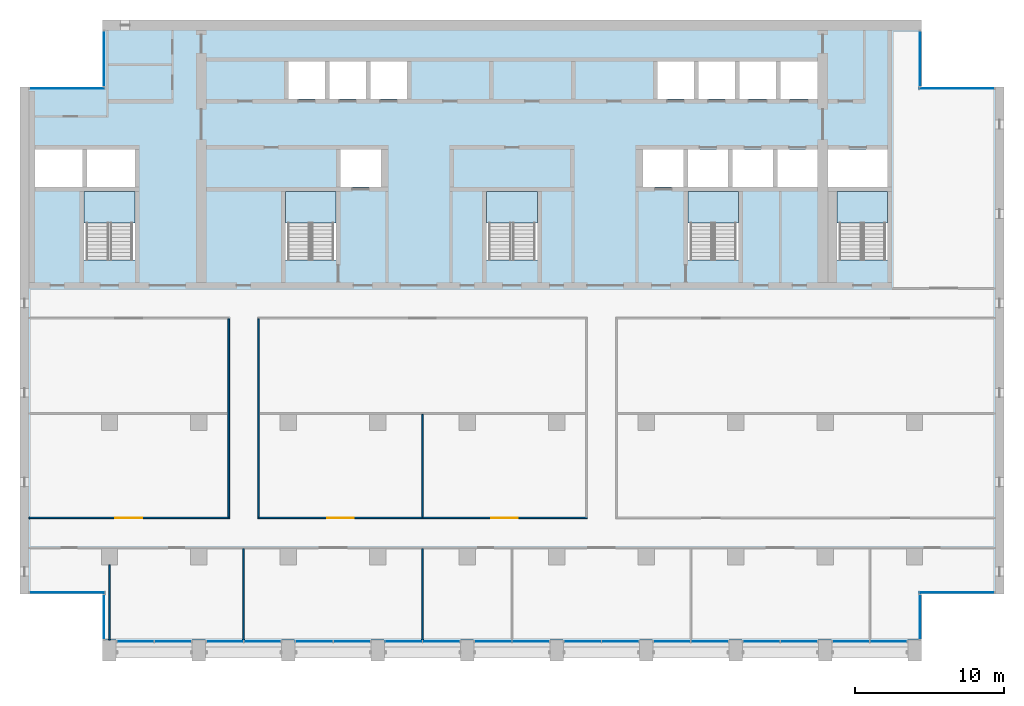
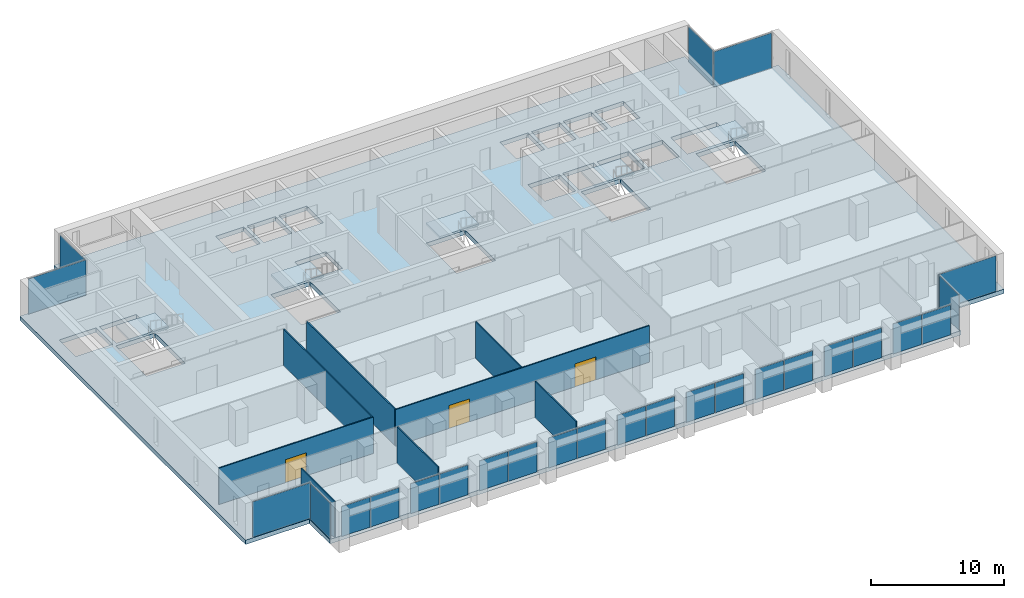
# One storey, part 7 of 17: 26 plates, 8 walls, 6 slabs, 3 doors, 3 openings, 22 elements without a shape of their own.
"""IFC4 building model written with IfcOpenShell, lengths in metres."""

from ifc_helpers import new_model, si_unit, direction, frame, frame_2d, origin, origin_2d, place, context, subcontext, project, spatial, polyline, rectangle, outline, extrude, material, layer, layer_set, type_object, element, fill, aggregate, save


model = new_model("IFC4")

# Units and contexts
model_context = context("Model", 3, precision=1e-05, world=origin(), true_north=direction((0.0, 1.0)))
body_context = subcontext(model_context, "Body", "Model", "MODEL_VIEW")
ifc_project = project(units=[si_unit("LENGTHUNIT", "METRE"), si_unit("AREAUNIT", "SQUARE_METRE"), si_unit("VOLUMEUNIT", "CUBIC_METRE"), si_unit("PLANEANGLEUNIT", "RADIAN"), si_unit("MASSUNIT", "GRAM", prefix="KILO")], contexts=[model_context])

# Site, building, storey
site_placement = place(None, origin())
site = spatial("IfcSite", under=ifc_project, at=site_placement, CompositionType="ELEMENT")
building_placement = place(site_placement, origin())
building = spatial("IfcBuilding", under=site, at=building_placement, Name="Calvaro Tower", CompositionType="ELEMENT")
storey_placement = place(building_placement, frame((0.0, 0.0, 196.75)))
storey = spatial("IfcBuildingStorey", under=building, at=storey_placement, Name="L49", CompositionType="ELEMENT", Elevation=196.75)

# Slab
ifc_material_1 = material(Name="Concrete C40/50", Category="concrete")
ifc_layer_1 = layer(ifc_material_1, 0.39990234375)
ifc_layer_set_1 = layer_set([ifc_layer_1], Name="Concrete C40/50")
slab_type_1 = type_object("IfcSlabType", Name="Floor slab 400 C40/50", PredefinedType="FLOOR", material=ifc_layer_set_1)
slab_1_placement = place(storey_placement, frame((0.0, 0.0, -0.39990234375)))
element("IfcSlab", 1, at=slab_1_placement, inside=storey, type_object=slab_type_1, Name="Floor slab", PredefinedType="FLOOR", context=body_context, shape_type="SweptSolid", body=[
    extrude(outline(polyline([(66.449951171875, 7.5), (66.449951171875, 4.39990234375), (11.550048828125, 4.39990234375), (11.550048828125, 7.5), (6.0, 7.5), (6.0, 41.5), (11.550048828125, 41.5), (11.550048828125, 46.0), (66.449951171875, 46.0), (66.449951171875, 41.5), (72.0, 41.5), (72.0, 7.5), (66.449951171875, 7.5)]), holes=[polyline([(10.300048828125, 29.909912109375), (10.300048828125, 34.5), (12.0, 34.5), (13.699951171875, 34.5), (13.699951171875, 29.909912109375), (12.0, 29.909912109375), (10.300048828125, 29.909912109375)]), polyline([(23.800048828125, 29.909912109375), (23.800048828125, 34.5), (25.5, 34.5), (27.199951171875, 34.5), (27.199951171875, 29.909912109375), (25.5, 29.909912109375), (23.800048828125, 29.909912109375)]), polyline([(37.300048828125, 29.909912109375), (37.300048828125, 34.5), (39.0, 34.5), (40.699951171875, 34.5), (40.699951171875, 29.909912109375), (39.0, 29.909912109375), (37.300048828125, 29.909912109375)]), polyline([(50.800048828125, 29.909912109375), (50.800048828125, 34.5), (52.5, 34.5), (54.199951171875, 34.5), (54.199951171875, 29.909912109375), (52.5, 29.909912109375), (50.800048828125, 29.909912109375)]), polyline([(60.800048828125, 29.909912109375), (60.800048828125, 34.5), (62.5, 34.5), (64.199951171875, 34.5), (64.199951171875, 29.909912109375), (62.5, 29.909912109375), (60.800048828125, 29.909912109375)]), polyline([(50.800048828125, 34.800048828125), (53.5, 34.800048828125), (53.5, 37.300048828125), (50.800048828125, 37.300048828125), (50.800048828125, 34.800048828125)]), polyline([(53.800048828125, 34.800048828125), (56.5, 34.800048828125), (56.5, 37.300048828125), (53.800048828125, 37.300048828125), (53.800048828125, 34.800048828125)]), polyline([(56.800048828125, 34.800048828125), (59.5, 34.800048828125), (59.5, 37.300048828125), (56.800048828125, 37.300048828125), (56.800048828125, 34.800048828125)]), polyline([(24.0, 40.699951171875), (26.449951171875, 40.699951171875), (26.449951171875, 43.199951171875), (24.0, 43.199951171875), (24.0, 40.699951171875)]), polyline([(26.75, 40.699951171875), (29.199951171875, 40.699951171875), (29.199951171875, 43.199951171875), (26.75, 43.199951171875), (26.75, 40.699951171875)]), polyline([(29.5, 40.699951171875), (31.949951171875, 40.699951171875), (31.949951171875, 43.199951171875), (29.5, 43.199951171875), (29.5, 40.699951171875)]), polyline([(48.75, 40.699951171875), (51.199951171875, 40.699951171875), (51.199951171875, 43.199951171875), (48.75, 43.199951171875), (48.75, 40.699951171875)]), polyline([(51.5, 40.699951171875), (53.949951171875, 40.699951171875), (53.949951171875, 43.199951171875), (51.5, 43.199951171875), (51.5, 40.699951171875)]), polyline([(54.25, 40.699951171875), (56.699951171875, 40.699951171875), (56.699951171875, 43.199951171875), (54.25, 43.199951171875), (54.25, 40.699951171875)]), polyline([(57.0, 40.699951171875), (59.5, 40.699951171875), (59.5, 43.199951171875), (57.0, 43.199951171875), (57.0, 40.699951171875)]), polyline([(7.0, 34.800048828125), (10.199951171875, 34.800048828125), (10.199951171875, 37.300048828125), (7.0, 37.300048828125), (7.0, 34.800048828125)]), polyline([(10.5, 34.800048828125), (13.699951171875, 34.800048828125), (13.699951171875, 37.300048828125), (10.5, 37.300048828125), (10.5, 34.800048828125)]), polyline([(60.199951171875, 34.800048828125), (64.199951171875, 34.800048828125), (64.199951171875, 37.300048828125), (60.199951171875, 37.300048828125), (60.199951171875, 34.800048828125)]), polyline([(27.5, 34.800048828125), (30.199951171875, 34.800048828125), (30.199951171875, 37.300048828125), (27.5, 37.300048828125), (27.5, 34.800048828125)]), polyline([(47.800048828125, 34.800048828125), (50.5, 34.800048828125), (50.5, 37.300048828125), (47.800048828125, 37.300048828125), (47.800048828125, 34.800048828125)])]), origin(), (0.0, 0.0, 1.0), 0.39990234375),
])

# Curtain wall, plates
ifc_material_2 = material(Name="Anodised aluminium", Category="aluminium")
curtain_wall_type = type_object("IfcCurtainWallType", Name="Office curtain wall, upper zone", PredefinedType="NOTDEFINED", material=ifc_material_2)
curtain_wall_1_placement = place(storey_placement, origin())
curtain_wall_1 = element("IfcCurtainWall", 2, at=curtain_wall_1_placement, inside=storey, type_object=curtain_wall_type, Name="CW3 south curtain wall", PredefinedType="NOTDEFINED")
ifc_material_3 = material(Name="Glass", Category="glass")
ifc_layer_2 = layer(ifc_material_3, 0.035888671875)
ifc_layer_set_2 = layer_set([ifc_layer_2], Name="Glass")
plate_type = type_object("IfcPlateType", Name="Glass panel S3 36", PredefinedType="CURTAIN_PANEL", material=ifc_layer_set_2)
plate_1_placement = place(storey_placement, frame((13.739990234375, 4.31005859375, 0.0), z_axis=(0.0, 0.0, 1.0), x_axis=(1.0, 0.0, 0.0)))
plate_1 = element("IfcPlate", 3, at=plate_1_placement, type_object=plate_type, Name="CW3 glass panel 1.1", PredefinedType="CURTAIN_PANEL", context=body_context, shape_type="SweptSolid", body=[
    extrude(rectangle(XDim=2.4599609375, YDim=0.035888671875, at=origin_2d()), origin(), (0.0, 0.0, 1.0), 2.75),
])
plate_2_placement = place(storey_placement, frame((16.260009765625, 4.31005859375, 0.0), z_axis=(0.0, 0.0, 1.0), x_axis=(1.0, 0.0, 0.0)))
plate_2 = element("IfcPlate", 4, at=plate_2_placement, type_object=plate_type, Name="CW3 glass panel 2.1", PredefinedType="CURTAIN_PANEL", context=body_context, shape_type="SweptSolid", body=[
    extrude(rectangle(XDim=2.4599609375, YDim=0.035888671875, at=origin_2d()), origin(), (0.0, 0.0, 1.0), 2.75),
])
aggregate(curtain_wall_1, [plate_1, plate_2])

curtain_wall_2_placement = place(storey_placement, origin())
curtain_wall_2 = element("IfcCurtainWall", 5, at=curtain_wall_2_placement, inside=storey, type_object=curtain_wall_type, Name="CW3 south curtain wall", PredefinedType="NOTDEFINED")
plate_3_placement = place(storey_placement, frame((19.739990234375, 4.31005859375, 0.0), z_axis=(0.0, 0.0, 1.0), x_axis=(1.0, 0.0, 0.0)))
plate_3 = element("IfcPlate", 6, at=plate_3_placement, type_object=plate_type, Name="CW3 glass panel 1.1", PredefinedType="CURTAIN_PANEL", context=body_context, shape_type="SweptSolid", body=[
    extrude(rectangle(XDim=2.4599609375, YDim=0.035888671875, at=origin_2d()), origin(), (0.0, 0.0, 1.0), 2.75),
])
plate_4_placement = place(storey_placement, frame((22.260009765625, 4.31005859375, 0.0), z_axis=(0.0, 0.0, 1.0), x_axis=(1.0, 0.0, 0.0)))
plate_4 = element("IfcPlate", 7, at=plate_4_placement, type_object=plate_type, Name="CW3 glass panel 2.1", PredefinedType="CURTAIN_PANEL", context=body_context, shape_type="SweptSolid", body=[
    extrude(rectangle(XDim=2.4599609375, YDim=0.035888671875, at=origin_2d()), origin(), (0.0, 0.0, 1.0), 2.75),
])
aggregate(curtain_wall_2, [plate_3, plate_4])

curtain_wall_3_placement = place(storey_placement, origin())
curtain_wall_3 = element("IfcCurtainWall", 8, at=curtain_wall_3_placement, inside=storey, type_object=curtain_wall_type, Name="CW3 south curtain wall", PredefinedType="NOTDEFINED")
plate_5_placement = place(storey_placement, frame((25.739990234375, 4.31005859375, 0.0), z_axis=(0.0, 0.0, 1.0), x_axis=(1.0, 0.0, 0.0)))
plate_5 = element("IfcPlate", 9, at=plate_5_placement, type_object=plate_type, Name="CW3 glass panel 1.1", PredefinedType="CURTAIN_PANEL", context=body_context, shape_type="SweptSolid", body=[
    extrude(rectangle(XDim=2.4599609375, YDim=0.035888671875, at=origin_2d()), origin(), (0.0, 0.0, 1.0), 2.75),
])
plate_6_placement = place(storey_placement, frame((28.260009765625, 4.31005859375, 0.0), z_axis=(0.0, 0.0, 1.0), x_axis=(1.0, 0.0, 0.0)))
plate_6 = element("IfcPlate", 10, at=plate_6_placement, type_object=plate_type, Name="CW3 glass panel 2.1", PredefinedType="CURTAIN_PANEL", context=body_context, shape_type="SweptSolid", body=[
    extrude(rectangle(XDim=2.4599609375, YDim=0.035888671875, at=origin_2d()), origin(), (0.0, 0.0, 1.0), 2.75),
])
aggregate(curtain_wall_3, [plate_5, plate_6])

curtain_wall_4_placement = place(storey_placement, origin())
curtain_wall_4 = element("IfcCurtainWall", 11, at=curtain_wall_4_placement, inside=storey, type_object=curtain_wall_type, Name="CW3 south curtain wall", PredefinedType="NOTDEFINED")
plate_7_placement = place(storey_placement, frame((31.739990234375, 4.31005859375, 0.0), z_axis=(0.0, 0.0, 1.0), x_axis=(1.0, 0.0, 0.0)))
plate_7 = element("IfcPlate", 12, at=plate_7_placement, type_object=plate_type, Name="CW3 glass panel 1.1", PredefinedType="CURTAIN_PANEL", context=body_context, shape_type="SweptSolid", body=[
    extrude(rectangle(XDim=2.4599609375, YDim=0.035888671875, at=origin_2d()), origin(), (0.0, 0.0, 1.0), 2.75),
])
plate_8_placement = place(storey_placement, frame((34.260009765625, 4.31005859375, 0.0), z_axis=(0.0, 0.0, 1.0), x_axis=(1.0, 0.0, 0.0)))
plate_8 = element("IfcPlate", 13, at=plate_8_placement, type_object=plate_type, Name="CW3 glass panel 2.1", PredefinedType="CURTAIN_PANEL", context=body_context, shape_type="SweptSolid", body=[
    extrude(rectangle(XDim=2.4599609375, YDim=0.035888671875, at=origin_2d()), origin(), (0.0, 0.0, 1.0), 2.75),
])
aggregate(curtain_wall_4, [plate_7, plate_8])

curtain_wall_5_placement = place(storey_placement, origin())
curtain_wall_5 = element("IfcCurtainWall", 14, at=curtain_wall_5_placement, inside=storey, type_object=curtain_wall_type, Name="CW3 south curtain wall", PredefinedType="NOTDEFINED")
plate_9_placement = place(storey_placement, frame((37.739990234375, 4.31005859375, 0.0), z_axis=(0.0, 0.0, 1.0), x_axis=(1.0, 0.0, 0.0)))
plate_9 = element("IfcPlate", 15, at=plate_9_placement, type_object=plate_type, Name="CW3 glass panel 1.1", PredefinedType="CURTAIN_PANEL", context=body_context, shape_type="SweptSolid", body=[
    extrude(rectangle(XDim=2.4599609375, YDim=0.035888671875, at=origin_2d()), origin(), (0.0, 0.0, 1.0), 2.75),
])
plate_10_placement = place(storey_placement, frame((40.260009765625, 4.31005859375, 0.0), z_axis=(0.0, 0.0, 1.0), x_axis=(1.0, 0.0, 0.0)))
plate_10 = element("IfcPlate", 16, at=plate_10_placement, type_object=plate_type, Name="CW3 glass panel 2.1", PredefinedType="CURTAIN_PANEL", context=body_context, shape_type="SweptSolid", body=[
    extrude(rectangle(XDim=2.4599609375, YDim=0.035888671875, at=origin_2d()), origin(), (0.0, 0.0, 1.0), 2.75),
])
aggregate(curtain_wall_5, [plate_9, plate_10])

curtain_wall_6_placement = place(storey_placement, origin())
curtain_wall_6 = element("IfcCurtainWall", 17, at=curtain_wall_6_placement, inside=storey, type_object=curtain_wall_type, Name="CW3 south curtain wall", PredefinedType="NOTDEFINED")
plate_11_placement = place(storey_placement, frame((43.739990234375, 4.31005859375, 0.0), z_axis=(0.0, 0.0, 1.0), x_axis=(1.0, 0.0, 0.0)))
plate_11 = element("IfcPlate", 18, at=plate_11_placement, type_object=plate_type, Name="CW3 glass panel 1.1", PredefinedType="CURTAIN_PANEL", context=body_context, shape_type="SweptSolid", body=[
    extrude(rectangle(XDim=2.4599609375, YDim=0.035888671875, at=origin_2d()), origin(), (0.0, 0.0, 1.0), 2.75),
])
plate_12_placement = place(storey_placement, frame((46.260009765625, 4.31005859375, 0.0), z_axis=(0.0, 0.0, 1.0), x_axis=(1.0, 0.0, 0.0)))
plate_12 = element("IfcPlate", 19, at=plate_12_placement, type_object=plate_type, Name="CW3 glass panel 2.1", PredefinedType="CURTAIN_PANEL", context=body_context, shape_type="SweptSolid", body=[
    extrude(rectangle(XDim=2.4599609375, YDim=0.035888671875, at=origin_2d()), origin(), (0.0, 0.0, 1.0), 2.75),
])
aggregate(curtain_wall_6, [plate_11, plate_12])

curtain_wall_7_placement = place(storey_placement, origin())
curtain_wall_7 = element("IfcCurtainWall", 20, at=curtain_wall_7_placement, inside=storey, type_object=curtain_wall_type, Name="CW3 south curtain wall", PredefinedType="NOTDEFINED")
plate_13_placement = place(storey_placement, frame((49.739990234375, 4.31005859375, 0.0), z_axis=(0.0, 0.0, 1.0), x_axis=(1.0, 0.0, 0.0)))
plate_13 = element("IfcPlate", 21, at=plate_13_placement, type_object=plate_type, Name="CW3 glass panel 1.1", PredefinedType="CURTAIN_PANEL", context=body_context, shape_type="SweptSolid", body=[
    extrude(rectangle(XDim=2.4599609375, YDim=0.035888671875, at=origin_2d()), origin(), (0.0, 0.0, 1.0), 2.75),
])
plate_14_placement = place(storey_placement, frame((52.260009765625, 4.31005859375, 0.0), z_axis=(0.0, 0.0, 1.0), x_axis=(1.0, 0.0, 0.0)))
plate_14 = element("IfcPlate", 22, at=plate_14_placement, type_object=plate_type, Name="CW3 glass panel 2.1", PredefinedType="CURTAIN_PANEL", context=body_context, shape_type="SweptSolid", body=[
    extrude(rectangle(XDim=2.4599609375, YDim=0.035888671875, at=origin_2d()), origin(), (0.0, 0.0, 1.0), 2.75),
])
aggregate(curtain_wall_7, [plate_13, plate_14])

curtain_wall_8_placement = place(storey_placement, origin())
curtain_wall_8 = element("IfcCurtainWall", 23, at=curtain_wall_8_placement, inside=storey, type_object=curtain_wall_type, Name="CW3 south curtain wall", PredefinedType="NOTDEFINED")
plate_15_placement = place(storey_placement, frame((55.739990234375, 4.31005859375, 0.0), z_axis=(0.0, 0.0, 1.0), x_axis=(1.0, 0.0, 0.0)))
plate_15 = element("IfcPlate", 24, at=plate_15_placement, type_object=plate_type, Name="CW3 glass panel 1.1", PredefinedType="CURTAIN_PANEL", context=body_context, shape_type="SweptSolid", body=[
    extrude(rectangle(XDim=2.4599609375, YDim=0.035888671875, at=origin_2d()), origin(), (0.0, 0.0, 1.0), 2.75),
])
plate_16_placement = place(storey_placement, frame((58.260009765625, 4.31005859375, 0.0), z_axis=(0.0, 0.0, 1.0), x_axis=(1.0, 0.0, 0.0)))
plate_16 = element("IfcPlate", 25, at=plate_16_placement, type_object=plate_type, Name="CW3 glass panel 2.1", PredefinedType="CURTAIN_PANEL", context=body_context, shape_type="SweptSolid", body=[
    extrude(rectangle(XDim=2.4599609375, YDim=0.035888671875, at=origin_2d()), origin(), (0.0, 0.0, 1.0), 2.75),
])
aggregate(curtain_wall_8, [plate_15, plate_16])

curtain_wall_9_placement = place(storey_placement, origin())
curtain_wall_9 = element("IfcCurtainWall", 26, at=curtain_wall_9_placement, inside=storey, type_object=curtain_wall_type, Name="CW3 south curtain wall", PredefinedType="NOTDEFINED")
plate_17_placement = place(storey_placement, frame((61.739990234375, 4.31005859375, 0.0), z_axis=(0.0, 0.0, 1.0), x_axis=(1.0, 0.0, 0.0)))
plate_17 = element("IfcPlate", 27, at=plate_17_placement, type_object=plate_type, Name="CW3 glass panel 1.1", PredefinedType="CURTAIN_PANEL", context=body_context, shape_type="SweptSolid", body=[
    extrude(rectangle(XDim=2.4599609375, YDim=0.035888671875, at=origin_2d()), origin(), (0.0, 0.0, 1.0), 2.75),
])
plate_18_placement = place(storey_placement, frame((64.260009765625, 4.31005859375, 0.0), z_axis=(0.0, 0.0, 1.0), x_axis=(1.0, 0.0, 0.0)))
plate_18 = element("IfcPlate", 28, at=plate_18_placement, type_object=plate_type, Name="CW3 glass panel 2.1", PredefinedType="CURTAIN_PANEL", context=body_context, shape_type="SweptSolid", body=[
    extrude(rectangle(XDim=2.4599609375, YDim=0.035888671875, at=origin_2d()), origin(), (0.0, 0.0, 1.0), 2.75),
])
aggregate(curtain_wall_9, [plate_17, plate_18])

# Curtain wall, plate
curtain_wall_10_placement = place(storey_placement, origin())
curtain_wall_10 = element("IfcCurtainWall", 29, at=curtain_wall_10_placement, inside=storey, type_object=curtain_wall_type, Name="CW3 corner curtain wall", PredefinedType="NOTDEFINED")
plate_19_placement = place(storey_placement, frame((11.639892578125, 5.949951171875, 0.0), z_axis=(0.0, 0.0, 1.0), x_axis=(0.0, 1.0, 0.0)))
plate_19 = element("IfcPlate", 30, at=plate_19_placement, type_object=plate_type, Name="CW3 glass panel 1.1", PredefinedType="CURTAIN_PANEL", context=body_context, shape_type="SweptSolid", body=[
    extrude(rectangle(XDim=2.97998046875, YDim=0.035888671875, at=origin_2d()), origin(), (0.0, 0.0, 1.0), 3.25),
])
aggregate(curtain_wall_10, [plate_19])

curtain_wall_11_placement = place(storey_placement, origin())
curtain_wall_11 = element("IfcCurtainWall", 31, at=curtain_wall_11_placement, inside=storey, type_object=curtain_wall_type, Name="CW3 corner curtain wall", PredefinedType="NOTDEFINED")
plate_20_placement = place(storey_placement, frame((9.1650390625, 7.590087890625, 0.0), z_axis=(0.0, 0.0, 1.0), x_axis=(1.0, 0.0, 0.0)))
plate_20 = element("IfcPlate", 32, at=plate_20_placement, type_object=plate_type, Name="CW3 glass panel 1.1", PredefinedType="CURTAIN_PANEL", context=body_context, shape_type="SweptSolid", body=[
    extrude(rectangle(XDim=5.010009765625, YDim=0.035888671875, at=origin_2d()), origin(), (0.0, 0.0, 1.0), 3.25),
])
aggregate(curtain_wall_11, [plate_20])

curtain_wall_12_placement = place(storey_placement, origin())
curtain_wall_12 = element("IfcCurtainWall", 33, at=curtain_wall_12_placement, inside=storey, type_object=curtain_wall_type, Name="CW3 corner curtain wall", PredefinedType="NOTDEFINED")
plate_21_placement = place(storey_placement, frame((11.639892578125, 43.39990234375, 0.0), z_axis=(0.0, 0.0, 1.0), x_axis=(0.0, 1.0, 0.0)))
plate_21 = element("IfcPlate", 34, at=plate_21_placement, type_object=plate_type, Name="CW3 glass panel 1.1", PredefinedType="CURTAIN_PANEL", context=body_context, shape_type="SweptSolid", body=[
    extrude(rectangle(XDim=3.679931640625, YDim=0.035888671875, at=origin_2d()), origin(), (0.0, 0.0, 1.0), 3.25),
])
aggregate(curtain_wall_12, [plate_21])

curtain_wall_13_placement = place(storey_placement, origin())
curtain_wall_13 = element("IfcCurtainWall", 35, at=curtain_wall_13_placement, inside=storey, type_object=curtain_wall_type, Name="CW3 corner curtain wall", PredefinedType="NOTDEFINED")
plate_22_placement = place(storey_placement, frame((9.1650390625, 41.409912109375, 0.0), z_axis=(0.0, 0.0, 1.0), x_axis=(1.0, 0.0, 0.0)))
plate_22 = element("IfcPlate", 36, at=plate_22_placement, type_object=plate_type, Name="CW3 glass panel 1.1", PredefinedType="CURTAIN_PANEL", context=body_context, shape_type="SweptSolid", body=[
    extrude(rectangle(XDim=5.010009765625, YDim=0.035888671875, at=origin_2d()), origin(), (0.0, 0.0, 1.0), 3.25),
])
aggregate(curtain_wall_13, [plate_22])

curtain_wall_14_placement = place(storey_placement, origin())
curtain_wall_14 = element("IfcCurtainWall", 37, at=curtain_wall_14_placement, inside=storey, type_object=curtain_wall_type, Name="CW3 corner curtain wall", PredefinedType="NOTDEFINED")
plate_23_placement = place(storey_placement, frame((66.360107421875, 5.949951171875, 0.0), z_axis=(0.0, 0.0, 1.0), x_axis=(0.0, 1.0, 0.0)))
plate_23 = element("IfcPlate", 38, at=plate_23_placement, type_object=plate_type, Name="CW3 glass panel 1.1", PredefinedType="CURTAIN_PANEL", context=body_context, shape_type="SweptSolid", body=[
    extrude(rectangle(XDim=2.97998046875, YDim=0.035888671875, at=origin_2d()), origin(), (0.0, 0.0, 1.0), 3.25),
])
aggregate(curtain_wall_14, [plate_23])

curtain_wall_15_placement = place(storey_placement, origin())
curtain_wall_15 = element("IfcCurtainWall", 39, at=curtain_wall_15_placement, inside=storey, type_object=curtain_wall_type, Name="CW3 corner curtain wall", PredefinedType="NOTDEFINED")
plate_24_placement = place(storey_placement, frame((68.8349609375, 7.590087890625, 0.0), z_axis=(0.0, 0.0, 1.0), x_axis=(1.0, 0.0, 0.0)))
plate_24 = element("IfcPlate", 40, at=plate_24_placement, type_object=plate_type, Name="CW3 glass panel 1.1", PredefinedType="CURTAIN_PANEL", context=body_context, shape_type="SweptSolid", body=[
    extrude(rectangle(XDim=5.010009765625, YDim=0.035888671875, at=origin_2d()), origin(), (0.0, 0.0, 1.0), 3.25),
])
aggregate(curtain_wall_15, [plate_24])

curtain_wall_16_placement = place(storey_placement, origin())
curtain_wall_16 = element("IfcCurtainWall", 41, at=curtain_wall_16_placement, inside=storey, type_object=curtain_wall_type, Name="CW3 corner curtain wall", PredefinedType="NOTDEFINED")
plate_25_placement = place(storey_placement, frame((66.360107421875, 43.39990234375, 0.0), z_axis=(0.0, 0.0, 1.0), x_axis=(0.0, 1.0, 0.0)))
plate_25 = element("IfcPlate", 42, at=plate_25_placement, type_object=plate_type, Name="CW3 glass panel 1.1", PredefinedType="CURTAIN_PANEL", context=body_context, shape_type="SweptSolid", body=[
    extrude(rectangle(XDim=3.679931640625, YDim=0.035888671875, at=origin_2d()), origin(), (0.0, 0.0, 1.0), 3.25),
])
aggregate(curtain_wall_16, [plate_25])

curtain_wall_17_placement = place(storey_placement, origin())
curtain_wall_17 = element("IfcCurtainWall", 43, at=curtain_wall_17_placement, inside=storey, type_object=curtain_wall_type, Name="CW3 corner curtain wall", PredefinedType="NOTDEFINED")
plate_26_placement = place(storey_placement, frame((68.8349609375, 41.409912109375, 0.0), z_axis=(0.0, 0.0, 1.0), x_axis=(1.0, 0.0, 0.0)))
plate_26 = element("IfcPlate", 44, at=plate_26_placement, type_object=plate_type, Name="CW3 glass panel 1.1", PredefinedType="CURTAIN_PANEL", context=body_context, shape_type="SweptSolid", body=[
    extrude(rectangle(XDim=5.010009765625, YDim=0.035888671875, at=origin_2d()), origin(), (0.0, 0.0, 1.0), 3.25),
])
aggregate(curtain_wall_17, [plate_26])

# Stair, slab
ifc_material_4 = material(Name="Concrete C40/50", Category="concrete")
stair_type = type_object("IfcStairType", Name="Exit stair 1400 2 flights", PredefinedType="HALF_TURN_STAIR", material=ifc_material_4)
stair_1_placement = place(storey_placement, origin())
stair_1 = element("IfcStair", 45, at=stair_1_placement, inside=storey, type_object=stair_type, Name="Exit stair S1", PredefinedType="HALF_TURN_STAIR")
ifc_material_5 = material(Name="Concrete C40/50", Category="concrete")
ifc_layer_3 = layer(ifc_material_5, 0.199951171875)
ifc_layer_set_3 = layer_set([ifc_layer_3], Name="Concrete C40/50")
slab_type_2 = type_object("IfcSlabType", Name="Stair landing", PredefinedType="LANDING", material=ifc_layer_set_3)
slab_2_placement = place(storey_placement, frame((0.0, 0.0, 1.675048828125)))
slab_2 = element("IfcSlab", 46, at=slab_2_placement, type_object=slab_type_2, Name="Exit stair 1, landing 1", PredefinedType="LANDING", context=body_context, shape_type="SweptSolid", body=[
    extrude(outline(polyline([(11.89990234375, 32.389892578125), (10.5, 32.389892578125), (10.5, 32.39990234375), (10.300048828125, 32.39990234375), (10.300048828125, 34.5), (10.5, 34.5), (11.89990234375, 34.5), (12.10009765625, 34.5), (13.5, 34.5), (13.699951171875, 34.5), (13.699951171875, 32.39990234375), (13.5, 32.39990234375), (13.5, 32.389892578125), (12.10009765625, 32.389892578125), (12.10009765625, 32.39990234375), (11.89990234375, 32.39990234375), (11.89990234375, 32.389892578125)])), origin(), (0.0, 0.0, 1.0), 0.199951171875),
])
aggregate(stair_1, [slab_2])

stair_2_placement = place(storey_placement, origin())
stair_2 = element("IfcStair", 47, at=stair_2_placement, inside=storey, type_object=stair_type, Name="Exit stair S2", PredefinedType="HALF_TURN_STAIR")
slab_3_placement = place(storey_placement, frame((0.0, 0.0, 1.675048828125)))
slab_3 = element("IfcSlab", 48, at=slab_3_placement, type_object=slab_type_2, Name="Exit stair 2, landing 1", PredefinedType="LANDING", context=body_context, shape_type="SweptSolid", body=[
    extrude(outline(polyline([(25.39990234375, 32.389892578125), (24.0, 32.389892578125), (24.0, 32.39990234375), (23.800048828125, 32.39990234375), (23.800048828125, 34.5), (24.0, 34.5), (25.39990234375, 34.5), (25.60009765625, 34.5), (27.0, 34.5), (27.199951171875, 34.5), (27.199951171875, 32.39990234375), (27.0, 32.39990234375), (27.0, 32.389892578125), (25.60009765625, 32.389892578125), (25.60009765625, 32.39990234375), (25.39990234375, 32.39990234375), (25.39990234375, 32.389892578125)])), origin(), (0.0, 0.0, 1.0), 0.199951171875),
])
aggregate(stair_2, [slab_3])

stair_3_placement = place(storey_placement, origin())
stair_3 = element("IfcStair", 49, at=stair_3_placement, inside=storey, type_object=stair_type, Name="Exit stair S3", PredefinedType="HALF_TURN_STAIR")
slab_4_placement = place(storey_placement, frame((0.0, 0.0, 1.675048828125)))
slab_4 = element("IfcSlab", 50, at=slab_4_placement, type_object=slab_type_2, Name="Exit stair 3, landing 1", PredefinedType="LANDING", context=body_context, shape_type="SweptSolid", body=[
    extrude(outline(polyline([(38.89990234375, 32.389892578125), (37.5, 32.389892578125), (37.5, 32.39990234375), (37.300048828125, 32.39990234375), (37.300048828125, 34.5), (37.5, 34.5), (38.89990234375, 34.5), (39.10009765625, 34.5), (40.5, 34.5), (40.699951171875, 34.5), (40.699951171875, 32.39990234375), (40.5, 32.39990234375), (40.5, 32.389892578125), (39.10009765625, 32.389892578125), (39.10009765625, 32.39990234375), (38.89990234375, 32.39990234375), (38.89990234375, 32.389892578125)])), origin(), (0.0, 0.0, 1.0), 0.199951171875),
])
aggregate(stair_3, [slab_4])

stair_4_placement = place(storey_placement, origin())
stair_4 = element("IfcStair", 51, at=stair_4_placement, inside=storey, type_object=stair_type, Name="Exit stair S4", PredefinedType="HALF_TURN_STAIR")
slab_5_placement = place(storey_placement, frame((0.0, 0.0, 1.675048828125)))
slab_5 = element("IfcSlab", 52, at=slab_5_placement, type_object=slab_type_2, Name="Exit stair 4, landing 1", PredefinedType="LANDING", context=body_context, shape_type="SweptSolid", body=[
    extrude(outline(polyline([(52.39990234375, 32.389892578125), (51.0, 32.389892578125), (51.0, 32.39990234375), (50.800048828125, 32.39990234375), (50.800048828125, 34.5), (51.0, 34.5), (52.39990234375, 34.5), (52.60009765625, 34.5), (54.0, 34.5), (54.199951171875, 34.5), (54.199951171875, 32.39990234375), (54.0, 32.39990234375), (54.0, 32.389892578125), (52.60009765625, 32.389892578125), (52.60009765625, 32.39990234375), (52.39990234375, 32.39990234375), (52.39990234375, 32.389892578125)])), origin(), (0.0, 0.0, 1.0), 0.199951171875),
])
aggregate(stair_4, [slab_5])

stair_5_placement = place(storey_placement, origin())
stair_5 = element("IfcStair", 53, at=stair_5_placement, inside=storey, type_object=stair_type, Name="Exit stair S5", PredefinedType="HALF_TURN_STAIR")
slab_6_placement = place(storey_placement, frame((0.0, 0.0, 1.675048828125)))
slab_6 = element("IfcSlab", 54, at=slab_6_placement, type_object=slab_type_2, Name="Exit stair 5, landing 1", PredefinedType="LANDING", context=body_context, shape_type="SweptSolid", body=[
    extrude(outline(polyline([(62.39990234375, 32.389892578125), (61.0, 32.389892578125), (61.0, 32.39990234375), (60.800048828125, 32.39990234375), (60.800048828125, 34.5), (61.0, 34.5), (62.39990234375, 34.5), (62.60009765625, 34.5), (64.0, 34.5), (64.199951171875, 34.5), (64.199951171875, 32.39990234375), (64.0, 32.39990234375), (64.0, 32.389892578125), (62.60009765625, 32.389892578125), (62.60009765625, 32.39990234375), (62.39990234375, 32.39990234375), (62.39990234375, 32.389892578125)])), origin(), (0.0, 0.0, 1.0), 0.199951171875),
])
aggregate(stair_5, [slab_6])

# Wall, opening, door
ifc_material_6 = material(Name="Plasterboard on steel studs", Category="steel")
ifc_layer_4 = layer(ifc_material_6, 0.10009765625)
ifc_layer_set_4 = layer_set([ifc_layer_4], Name="Plasterboard on steel studs")
wall_type = type_object("IfcWallType", Name="Partition 100", PredefinedType="PARTITIONING", material=ifc_layer_set_4)
wall_1_placement = place(storey_placement, frame((6.60009765625, 12.60009765625, 0.0), z_axis=(0.0, 0.0, 1.0), x_axis=(1.0, 0.0, 0.0)))
wall_1 = element("IfcWall", 55, at=wall_1_placement, inside=storey, type_object=wall_type, Name="Partition T28.W002", PredefinedType="PARTITIONING", context=body_context, shape_type="SweptSolid", body=[
    extrude(rectangle(XDim=13.449951171875, YDim=0.10009765625, at=frame_2d((6.72509765625, 0.0))), origin(), (0.0, 0.0, 1.0), 3.35009765625),
])
opening_1_placement = place(wall_1_placement, frame((5.800048828125, 0.0, 0.0)))
opening_1 = element("IfcOpeningElement", 56, at=opening_1_placement, cuts=wall_1, Name="Opening T28.008", PredefinedType="OPENING", context=body_context, shape_type="SweptSolid", body=[
    extrude(rectangle(XDim=1.800048828125, YDim=2.10009765625, at=frame_2d((0.89990234375, 1.050048828125))), frame((0.0, 0.06005859375, 0.0), z_axis=(0.0, -1.0, 0.0), x_axis=(1.0, 0.0, 0.0)), (0.0, 0.0, 1.0), 0.1201171875),
])
ifc_material_7 = material(Name="Timber", Category="wood")
door_type = type_object("IfcDoorType", Name="Internal double door 1800 x 2100", OperationType="DOUBLE_DOOR_SINGLE_SWING", PredefinedType="DOOR", material=ifc_material_7)
door_1_placement = place(opening_1_placement, origin())
door_1 = element("IfcDoor", 57, at=door_1_placement, inside=storey, type_object=door_type, Name="Door T28.008", OperationType="DOUBLE_DOOR_SINGLE_SWING", OverallHeight=2.10009765625, OverallWidth=1.800048828125, PredefinedType="DOOR", context=body_context, shape_type="SweptSolid", body=[
    extrude(rectangle(XDim=1.800048828125, YDim=2.10009765625, at=frame_2d((0.89990234375, 1.050048828125))), frame((0.0, 0.02490234375, 0.0), z_axis=(0.0, -1.0, 0.0), x_axis=(1.0, 0.0, 0.0)), (0.0, 0.0, 1.0), 0.050048828125),
])
fill(opening_1, door_1)

# Wall, openings, doors
wall_2_placement = place(storey_placement, frame((21.949951171875, 12.60009765625, 0.0), z_axis=(0.0, 0.0, 1.0), x_axis=(1.0, 0.0, 0.0)))
wall_2 = element("IfcWall", 58, at=wall_2_placement, inside=storey, type_object=wall_type, Name="Partition T28.W003", PredefinedType="PARTITIONING", context=body_context, shape_type="SweptSolid", body=[
    extrude(rectangle(XDim=22.10009765625, YDim=0.10009765625, at=frame_2d((11.050048828125, 0.0))), origin(), (0.0, 0.0, 1.0), 3.35009765625),
])
opening_2_placement = place(wall_2_placement, frame((4.64990234375, 0.0, 0.0)))
opening_2 = element("IfcOpeningElement", 59, at=opening_2_placement, cuts=wall_2, Name="Opening T28.009", PredefinedType="OPENING", context=body_context, shape_type="SweptSolid", body=[
    extrude(rectangle(XDim=1.800048828125, YDim=2.10009765625, at=frame_2d((0.89990234375, 1.050048828125))), frame((0.0, 0.06005859375, 0.0), z_axis=(0.0, -1.0, 0.0), x_axis=(1.0, 0.0, 0.0)), (0.0, 0.0, 1.0), 0.1201171875),
])
opening_3_placement = place(wall_2_placement, frame((15.64990234375, 0.0, 0.0)))
opening_3 = element("IfcOpeningElement", 60, at=opening_3_placement, cuts=wall_2, Name="Opening T28.010", PredefinedType="OPENING", context=body_context, shape_type="SweptSolid", body=[
    extrude(rectangle(XDim=1.800048828125, YDim=2.10009765625, at=frame_2d((0.89990234375, 1.050048828125))), frame((0.0, 0.06005859375, 0.0), z_axis=(0.0, -1.0, 0.0), x_axis=(1.0, 0.0, 0.0)), (0.0, 0.0, 1.0), 0.1201171875),
])
door_2_placement = place(opening_2_placement, origin())
door_2 = element("IfcDoor", 61, at=door_2_placement, inside=storey, type_object=door_type, Name="Door T28.009", OperationType="DOUBLE_DOOR_SINGLE_SWING", OverallHeight=2.10009765625, OverallWidth=1.800048828125, PredefinedType="DOOR", context=body_context, shape_type="SweptSolid", body=[
    extrude(rectangle(XDim=1.800048828125, YDim=2.10009765625, at=frame_2d((0.89990234375, 1.050048828125))), frame((0.0, 0.02490234375, 0.0), z_axis=(0.0, -1.0, 0.0), x_axis=(1.0, 0.0, 0.0)), (0.0, 0.0, 1.0), 0.050048828125),
])
fill(opening_2, door_2)
door_3_placement = place(opening_3_placement, origin())
door_3 = element("IfcDoor", 62, at=door_3_placement, inside=storey, type_object=door_type, Name="Door T28.010", OperationType="DOUBLE_DOOR_SINGLE_SWING", OverallHeight=2.10009765625, OverallWidth=1.800048828125, PredefinedType="DOOR", context=body_context, shape_type="SweptSolid", body=[
    extrude(rectangle(XDim=1.800048828125, YDim=2.10009765625, at=frame_2d((0.89990234375, 1.050048828125))), frame((0.0, 0.02490234375, 0.0), z_axis=(0.0, -1.0, 0.0), x_axis=(1.0, 0.0, 0.0)), (0.0, 0.0, 1.0), 0.050048828125),
])
fill(opening_3, door_3)

# Walls
wall_3_placement = place(storey_placement, frame((12.0, 4.39990234375, 0.0), z_axis=(0.0, 0.0, 1.0), x_axis=(0.0, 1.0, 0.0)))
element("IfcWall", 63, at=wall_3_placement, inside=storey, type_object=wall_type, Name="Partition T28.W012", PredefinedType="PARTITIONING", context=body_context, shape_type="SweptSolid", body=[
    extrude(rectangle(XDim=5.050048828125, YDim=0.10009765625, at=frame_2d((2.52490234375, 0.0))), origin(), (0.0, 0.0, 1.0), 3.35009765625),
])
wall_4_placement = place(storey_placement, frame((20.0, 12.64990234375, 0.0), z_axis=(0.0, 0.0, 1.0), x_axis=(0.0, 1.0, 0.0)))
element("IfcWall", 64, at=wall_4_placement, inside=storey, type_object=wall_type, Name="Partition T28.W013", PredefinedType="PARTITIONING", context=body_context, shape_type="SweptSolid", body=[
    extrude(rectangle(XDim=13.300048828125, YDim=0.10009765625, at=frame_2d((6.64990234375, 0.0))), origin(), (0.0, 0.0, 1.0), 3.35009765625),
])
wall_5_placement = place(storey_placement, frame((21.0, 4.39990234375, 0.0), z_axis=(0.0, 0.0, 1.0), x_axis=(0.0, 1.0, 0.0)))
element("IfcWall", 65, at=wall_5_placement, inside=storey, type_object=wall_type, Name="Partition T28.W014", PredefinedType="PARTITIONING", context=body_context, shape_type="SweptSolid", body=[
    extrude(rectangle(XDim=6.150146484375, YDim=0.10009765625, at=frame_2d((3.0751953125, 0.0))), origin(), (0.0, 0.0, 1.0), 3.35009765625),
])
wall_6_placement = place(storey_placement, frame((22.0, 12.64990234375, 0.0), z_axis=(0.0, 0.0, 1.0), x_axis=(0.0, 1.0, 0.0)))
element("IfcWall", 66, at=wall_6_placement, inside=storey, type_object=wall_type, Name="Partition T28.W015", PredefinedType="PARTITIONING", context=body_context, shape_type="SweptSolid", body=[
    extrude(rectangle(XDim=13.300048828125, YDim=0.10009765625, at=frame_2d((6.64990234375, 0.0))), origin(), (0.0, 0.0, 1.0), 3.35009765625),
])
wall_7_placement = place(storey_placement, frame((33.0, 4.39990234375, 0.0), z_axis=(0.0, 0.0, 1.0), x_axis=(0.0, 1.0, 0.0)))
element("IfcWall", 67, at=wall_7_placement, inside=storey, type_object=wall_type, Name="Partition T28.W016", PredefinedType="PARTITIONING", context=body_context, shape_type="SweptSolid", body=[
    extrude(rectangle(XDim=6.150146484375, YDim=0.10009765625, at=frame_2d((3.0751953125, 0.0))), origin(), (0.0, 0.0, 1.0), 3.35009765625),
])
wall_8_placement = place(storey_placement, frame((33.0, 12.64990234375, 0.0), z_axis=(0.0, 0.0, 1.0), x_axis=(0.0, 1.0, 0.0)))
element("IfcWall", 68, at=wall_8_placement, inside=storey, type_object=wall_type, Name="Partition T28.W017", PredefinedType="PARTITIONING", context=body_context, shape_type="SweptSolid", body=[
    extrude(rectangle(XDim=6.900146484375, YDim=0.10009765625, at=frame_2d((3.4501953125, 0.0))), origin(), (0.0, 0.0, 1.0), 3.35009765625),
])

save(model, "model.ifc")
